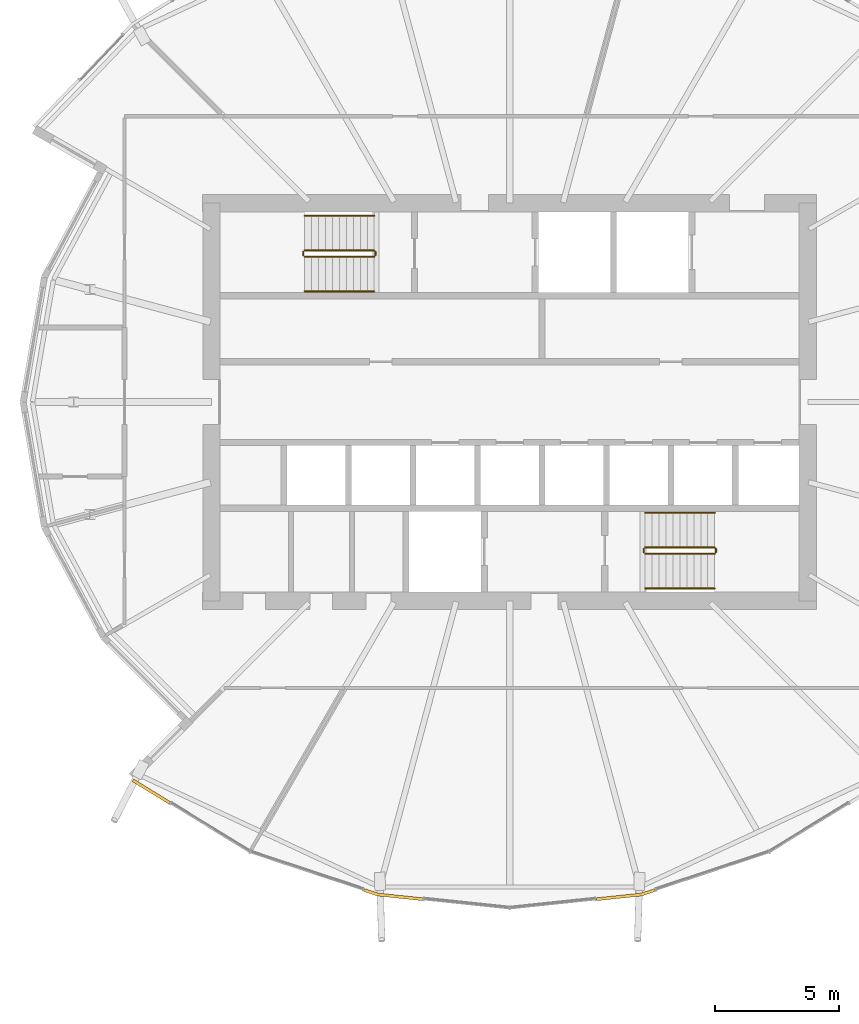
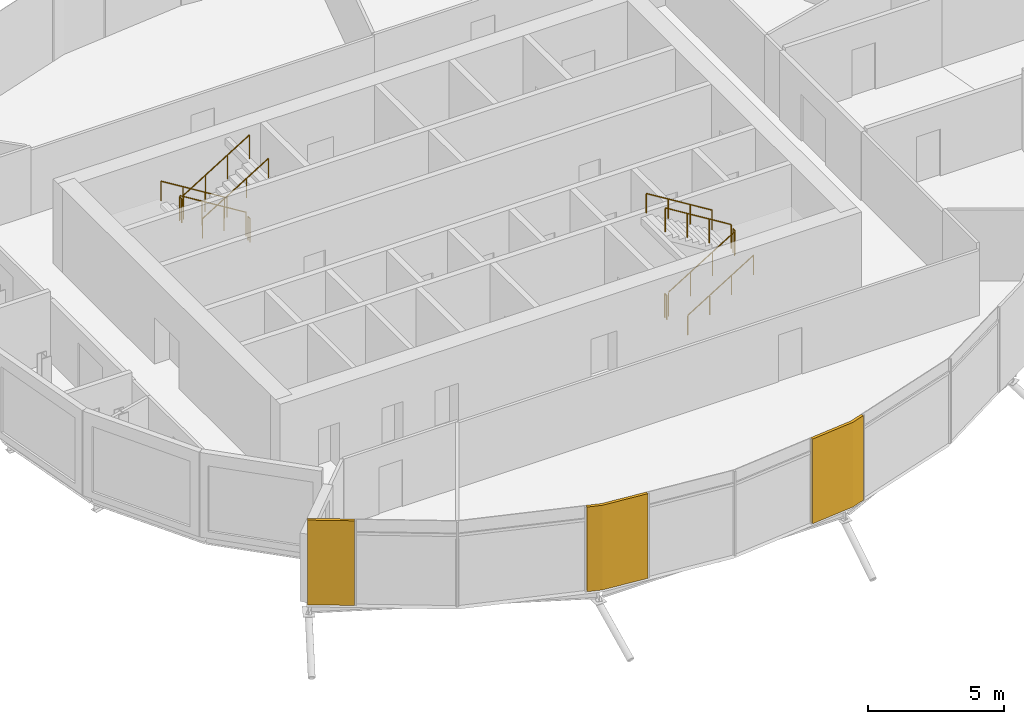
# One storey, part 37 of 40: 12 railings, 3 coverings.
"""IFC4 building model written with IfcOpenShell, lengths in metres."""

from ifc_helpers import new_model, si_unit, direction, frame, origin, origin_2d, place, context, subcontext, project, spatial, polyline, circle, outline, extrude, material, layer, layer_set, type_object, element, save


model = new_model("IFC4")

# Units and contexts
model_context = context("Model", 3, precision=1e-05, world=origin(), true_north=direction((0.0, 1.0)))
body_context = subcontext(model_context, "Body", "Model", "MODEL_VIEW")
ifc_project = project(units=[si_unit("LENGTHUNIT", "METRE"), si_unit("AREAUNIT", "SQUARE_METRE"), si_unit("VOLUMEUNIT", "CUBIC_METRE"), si_unit("PLANEANGLEUNIT", "RADIAN"), si_unit("MASSUNIT", "GRAM", prefix="KILO")], contexts=[model_context])

# Site, building, storey
site_placement = place(None, origin())
site = spatial("IfcSite", under=ifc_project, at=site_placement, CompositionType="ELEMENT")
building_placement = place(site_placement, origin())
building = spatial("IfcBuilding", under=site, at=building_placement, Name="Rimbun Link Towers", CompositionType="ELEMENT")
storey_placement = place(building_placement, frame((0.0, 0.0, 150.60009765625)))
storey = spatial("IfcBuildingStorey", under=building, at=storey_placement, Name="L36", CompositionType="ELEMENT", Elevation=150.60009765625)

# Coverings
ifc_material_1 = material(Name="Terracotta", Category="masonry")
ifc_layer = layer(ifc_material_1, 0.1201171875)
ifc_layer_set = layer_set([ifc_layer], Name="LINK PIER terracotta cladding 120")
covering_type = type_object("IfcCoveringType", Name="LINK PIER terracotta cladding 120", PredefinedType="CLADDING", material=ifc_layer_set)
covering_1_placement = place(storey_placement, origin())
element("IfcCovering", 1, at=covering_1_placement, inside=storey, type_object=covering_type, Name="LINK PIER cladding", PredefinedType="CLADDING", context=body_context, shape_type="SweptSolid", body=[
    extrude(outline(polyline([(-45.395751953125, -16.080322265625), (-46.878662109375, -15.169921875), (-46.94140625, -15.272216796875), (-45.45849609375, -16.1826171875), (-45.395751953125, -16.080322265625)])), origin(), (0.0, 0.0, 1.0), 3.7998046875),
])
covering_2_placement = place(storey_placement, origin())
element("IfcCovering", 2, at=covering_2_placement, inside=storey, type_object=covering_type, Name="LINK PIER cladding", PredefinedType="CLADDING", context=body_context, shape_type="SweptSolid", body=[
    extrude(outline(polyline([(-35.234130859375, -19.94873046875), (-37.044189453125, -19.758056640625), (-37.585205078125, -19.57861328125), (-37.622802734375, -19.692626953125), (-37.069580078125, -19.8759765625), (-35.24658203125, -20.06787109375), (-35.234130859375, -19.94873046875)])), origin(), (0.0, 0.0, 1.0), 3.7998046875),
])
covering_3_placement = place(storey_placement, origin())
element("IfcCovering", 3, at=covering_3_placement, inside=storey, type_object=covering_type, Name="LINK PIER cladding", PredefinedType="CLADDING", context=body_context, shape_type="SweptSolid", body=[
    extrude(outline(polyline([(-25.914794921875, -19.57861328125), (-26.455810546875, -19.758056640625), (-28.265869140625, -19.94873046875), (-28.25341796875, -20.06787109375), (-26.430419921875, -19.8759765625), (-25.877197265625, -19.692626953125), (-25.914794921875, -19.57861328125)])), origin(), (0.0, 0.0, 1.0), 3.7998046875),
])

# Railings
ifc_material_2 = material(Name="Stainless steel grade 316", Category="steel")
railing_type_1 = type_object("IfcRailingType", Name="Stair guard", PredefinedType="GUARDRAIL", material=ifc_material_2)
railing_1_placement = place(storey_placement, frame((-37.199951171875, 6.10009765625, 0.172607421875)))
element("IfcRailing", 4, at=railing_1_placement, inside=storey, type_object=railing_type_1, Name="L36 ST1 stair guard 1", PredefinedType="GUARDRAIL", context=body_context, shape_type="SweptSolid", body=[
    extrude(circle(Radius=0.02392578125, at=origin_2d()), frame((0.0, 0.0, 1.076171875), z_axis=(-0.851089632645, 0.0, 0.525020415988), x_axis=(0.0, -1.0, 0.0)), (0.0, 0.0, 1.0), 3.2900390625),
    extrude(circle(Radius=0.02099609375, at=origin_2d()), origin(), (0.0, 0.0, 1.0), 1.052001953125),
    extrude(circle(Radius=0.02099609375, at=origin_2d()), frame((-0.933349609375, 0.0, 0.57568359375)), (0.0, 0.0, 1.0), 1.052001953125),
    extrude(circle(Radius=0.02099609375, at=origin_2d()), frame((-1.86669921875, 0.0, 1.151611328125)), (0.0, 0.0, 1.0), 1.052001953125),
    extrude(circle(Radius=0.02099609375, at=origin_2d()), frame((-2.800048828125, 0.0, 1.727294921875)), (0.0, 0.0, 1.0), 1.052001953125),
])
railing_2_placement = place(storey_placement, frame((-40.050048828125, 6.050048828125, 1.89990234375)))
element("IfcRailing", 5, at=railing_2_placement, inside=storey, type_object=railing_type_1, Name="L36 ST1 stair guard 2", PredefinedType="GUARDRAIL", context=body_context, shape_type="SweptSolid", body=[
    extrude(circle(Radius=0.02392578125, at=origin_2d()), frame((0.0, 0.0, 1.076171875), z_axis=(0.0, -1.0, 0.0), x_axis=(1.0, 0.0, 0.0)), (0.0, 0.0, 1.0), 0.150146484375),
    extrude(circle(Radius=0.02099609375, at=origin_2d()), origin(), (0.0, 0.0, 1.0), 1.052001953125),
    extrude(circle(Radius=0.02099609375, at=origin_2d()), frame((0.0, -0.150146484375, 0.0)), (0.0, 0.0, 1.0), 1.052001953125),
])
railing_3_placement = place(storey_placement, frame((-40.0, 5.85009765625, 2.072509765625)))
element("IfcRailing", 6, at=railing_3_placement, inside=storey, type_object=railing_type_1, Name="L36 ST1 stair guard 3", PredefinedType="GUARDRAIL", context=body_context, shape_type="SweptSolid", body=[
    extrude(circle(Radius=0.02392578125, at=origin_2d()), frame((0.0, 0.0, 1.076171875), z_axis=(0.851089632645, 0.0, 0.525020415988), x_axis=(0.0, 1.0, 0.0)), (0.0, 0.0, 1.0), 3.2900390625),
    extrude(circle(Radius=0.02099609375, at=origin_2d()), origin(), (0.0, 0.0, 1.0), 1.052001953125),
    extrude(circle(Radius=0.02099609375, at=origin_2d()), frame((0.933349609375, 0.0, 0.57568359375)), (0.0, 0.0, 1.0), 1.052001953125),
    extrude(circle(Radius=0.02099609375, at=origin_2d()), frame((1.86669921875, 0.0, 1.151611328125)), (0.0, 0.0, 1.0), 1.052001953125),
    extrude(circle(Radius=0.02099609375, at=origin_2d()), frame((2.800048828125, 0.0, 1.727294921875)), (0.0, 0.0, 1.0), 1.052001953125),
])
railing_4_placement = place(storey_placement, frame((-37.14990234375, 6.050048828125, 0.0)))
element("IfcRailing", 7, at=railing_4_placement, inside=storey, type_object=railing_type_1, Name="L36 ST1 stair guard 4", PredefinedType="GUARDRAIL", context=body_context, shape_type="SweptSolid", body=[
    extrude(circle(Radius=0.02392578125, at=origin_2d()), frame((0.0, 0.0, 1.076171875), z_axis=(0.0, -1.0, 0.0), x_axis=(1.0, 0.0, 0.0)), (0.0, 0.0, 1.0), 0.150146484375),
    extrude(circle(Radius=0.02099609375, at=origin_2d()), origin(), (0.0, 0.0, 1.0), 1.052001953125),
    extrude(circle(Radius=0.02099609375, at=origin_2d()), frame((0.0, -0.150146484375, 0.0)), (0.0, 0.0, 1.0), 1.052001953125),
])
railing_5_placement = place(storey_placement, frame((-26.300048828125, -6.10009765625, 0.172607421875)))
element("IfcRailing", 8, at=railing_5_placement, inside=storey, type_object=railing_type_1, Name="L36 ST2 stair guard 1", PredefinedType="GUARDRAIL", context=body_context, shape_type="SweptSolid", body=[
    extrude(circle(Radius=0.02392578125, at=origin_2d()), frame((0.0, 0.0, 1.076171875), z_axis=(0.851089632645, 0.0, 0.525020415988), x_axis=(0.0, 1.0, 0.0)), (0.0, 0.0, 1.0), 3.2900390625),
    extrude(circle(Radius=0.02099609375, at=origin_2d()), origin(), (0.0, 0.0, 1.0), 1.052001953125),
    extrude(circle(Radius=0.02099609375, at=origin_2d()), frame((0.933349609375, 0.0, 0.57568359375)), (0.0, 0.0, 1.0), 1.052001953125),
    extrude(circle(Radius=0.02099609375, at=origin_2d()), frame((1.86669921875, 0.0, 1.151611328125)), (0.0, 0.0, 1.0), 1.052001953125),
    extrude(circle(Radius=0.02099609375, at=origin_2d()), frame((2.800048828125, 0.0, 1.727294921875)), (0.0, 0.0, 1.0), 1.052001953125),
])
railing_6_placement = place(storey_placement, frame((-23.449951171875, -6.050048828125, 1.89990234375)))
element("IfcRailing", 9, at=railing_6_placement, inside=storey, type_object=railing_type_1, Name="L36 ST2 stair guard 2", PredefinedType="GUARDRAIL", context=body_context, shape_type="SweptSolid", body=[
    extrude(circle(Radius=0.02392578125, at=origin_2d()), frame((0.0, 0.0, 1.076171875), z_axis=(0.0, 1.0, 0.0), x_axis=(-1.0, 0.0, 0.0)), (0.0, 0.0, 1.0), 0.150146484375),
    extrude(circle(Radius=0.02099609375, at=origin_2d()), origin(), (0.0, 0.0, 1.0), 1.052001953125),
    extrude(circle(Radius=0.02099609375, at=origin_2d()), frame((0.0, 0.150146484375, 0.0)), (0.0, 0.0, 1.0), 1.052001953125),
])
railing_7_placement = place(storey_placement, frame((-23.5, -5.85009765625, 2.072509765625)))
element("IfcRailing", 10, at=railing_7_placement, inside=storey, type_object=railing_type_1, Name="L36 ST2 stair guard 3", PredefinedType="GUARDRAIL", context=body_context, shape_type="SweptSolid", body=[
    extrude(circle(Radius=0.02392578125, at=origin_2d()), frame((0.0, 0.0, 1.076171875), z_axis=(-0.851089632645, 0.0, 0.525020415988), x_axis=(0.0, -1.0, 0.0)), (0.0, 0.0, 1.0), 3.2900390625),
    extrude(circle(Radius=0.02099609375, at=origin_2d()), origin(), (0.0, 0.0, 1.0), 1.052001953125),
    extrude(circle(Radius=0.02099609375, at=origin_2d()), frame((-0.933349609375, 0.0, 0.57568359375)), (0.0, 0.0, 1.0), 1.052001953125),
    extrude(circle(Radius=0.02099609375, at=origin_2d()), frame((-1.86669921875, 0.0, 1.151611328125)), (0.0, 0.0, 1.0), 1.052001953125),
    extrude(circle(Radius=0.02099609375, at=origin_2d()), frame((-2.800048828125, 0.0, 1.727294921875)), (0.0, 0.0, 1.0), 1.052001953125),
])
railing_8_placement = place(storey_placement, frame((-26.35009765625, -6.050048828125, 0.0)))
element("IfcRailing", 11, at=railing_8_placement, inside=storey, type_object=railing_type_1, Name="L36 ST2 stair guard 4", PredefinedType="GUARDRAIL", context=body_context, shape_type="SweptSolid", body=[
    extrude(circle(Radius=0.02392578125, at=origin_2d()), frame((0.0, 0.0, 1.076171875), z_axis=(0.0, 1.0, 0.0), x_axis=(-1.0, 0.0, 0.0)), (0.0, 0.0, 1.0), 0.150146484375),
    extrude(circle(Radius=0.02099609375, at=origin_2d()), origin(), (0.0, 0.0, 1.0), 1.052001953125),
    extrude(circle(Radius=0.02099609375, at=origin_2d()), frame((0.0, 0.150146484375, 0.0)), (0.0, 0.0, 1.0), 1.052001953125),
])
ifc_material_3 = material(Name="Stainless steel grade 316", Category="steel")
railing_type_2 = type_object("IfcRailingType", Name="Stair handrail", PredefinedType="HANDRAIL", material=ifc_material_3)
railing_9_placement = place(storey_placement, frame((-37.199951171875, 7.5, 0.172607421875)))
element("IfcRailing", 12, at=railing_9_placement, inside=storey, type_object=railing_type_2, Name="L36 ST1 stair handrail 1", PredefinedType="HANDRAIL", context=body_context, shape_type="SweptSolid", body=[
    extrude(circle(Radius=0.02392578125, at=origin_2d()), frame((0.0, 0.0, 0.8759765625), z_axis=(-0.851089632645, 0.0, 0.525020415988), x_axis=(0.0, -1.0, 0.0)), (0.0, 0.0, 1.0), 3.2900390625),
    extrude(circle(Radius=0.02099609375, at=origin_2d()), origin(), (0.0, 0.0, 1.0), 0.851806640625),
    extrude(circle(Radius=0.02099609375, at=origin_2d()), frame((-0.933349609375, 0.0, 0.57568359375)), (0.0, 0.0, 1.0), 0.851806640625),
    extrude(circle(Radius=0.02099609375, at=origin_2d()), frame((-1.86669921875, 0.0, 1.151611328125)), (0.0, 0.0, 1.0), 0.851806640625),
    extrude(circle(Radius=0.02099609375, at=origin_2d()), frame((-2.800048828125, 0.0, 1.727294921875)), (0.0, 0.0, 1.0), 0.851806640625),
])
for number, where, name in (
    (13, (-40.0, 4.449951171875, 2.072509765625), "L36 ST1 stair handrail 2"),
    (14, (-26.300048828125, -7.5, 0.172607421875), "L36 ST2 stair handrail 1"),
):
    element("IfcRailing", number, at=place(storey_placement, frame(where)), inside=storey, type_object=railing_type_2, Name=name, PredefinedType="HANDRAIL", context=body_context, shape_type="SweptSolid", body=[
        extrude(circle(Radius=0.02392578125, at=origin_2d()), frame((0.0, 0.0, 0.8759765625), z_axis=(0.851089632645, 0.0, 0.525020415988), x_axis=(0.0, 1.0, 0.0)), (0.0, 0.0, 1.0), 3.2900390625),
        extrude(circle(Radius=0.02099609375, at=origin_2d()), origin(), (0.0, 0.0, 1.0), 0.851806640625),
        extrude(circle(Radius=0.02099609375, at=origin_2d()), frame((0.933349609375, 0.0, 0.57568359375)), (0.0, 0.0, 1.0), 0.851806640625),
        extrude(circle(Radius=0.02099609375, at=origin_2d()), frame((1.86669921875, 0.0, 1.151611328125)), (0.0, 0.0, 1.0), 0.851806640625),
        extrude(circle(Radius=0.02099609375, at=origin_2d()), frame((2.800048828125, 0.0, 1.727294921875)), (0.0, 0.0, 1.0), 0.851806640625),
    ])
railing_10_placement = place(storey_placement, frame((-23.5, -4.449951171875, 2.072509765625)))
element("IfcRailing", 15, at=railing_10_placement, inside=storey, type_object=railing_type_2, Name="L36 ST2 stair handrail 2", PredefinedType="HANDRAIL", context=body_context, shape_type="SweptSolid", body=[
    extrude(circle(Radius=0.02392578125, at=origin_2d()), frame((0.0, 0.0, 0.8759765625), z_axis=(-0.851089632645, 0.0, 0.525020415988), x_axis=(0.0, -1.0, 0.0)), (0.0, 0.0, 1.0), 3.2900390625),
    extrude(circle(Radius=0.02099609375, at=origin_2d()), origin(), (0.0, 0.0, 1.0), 0.851806640625),
    extrude(circle(Radius=0.02099609375, at=origin_2d()), frame((-0.933349609375, 0.0, 0.57568359375)), (0.0, 0.0, 1.0), 0.851806640625),
    extrude(circle(Radius=0.02099609375, at=origin_2d()), frame((-1.86669921875, 0.0, 1.151611328125)), (0.0, 0.0, 1.0), 0.851806640625),
    extrude(circle(Radius=0.02099609375, at=origin_2d()), frame((-2.800048828125, 0.0, 1.727294921875)), (0.0, 0.0, 1.0), 0.851806640625),
])

save(model, "model.ifc")
